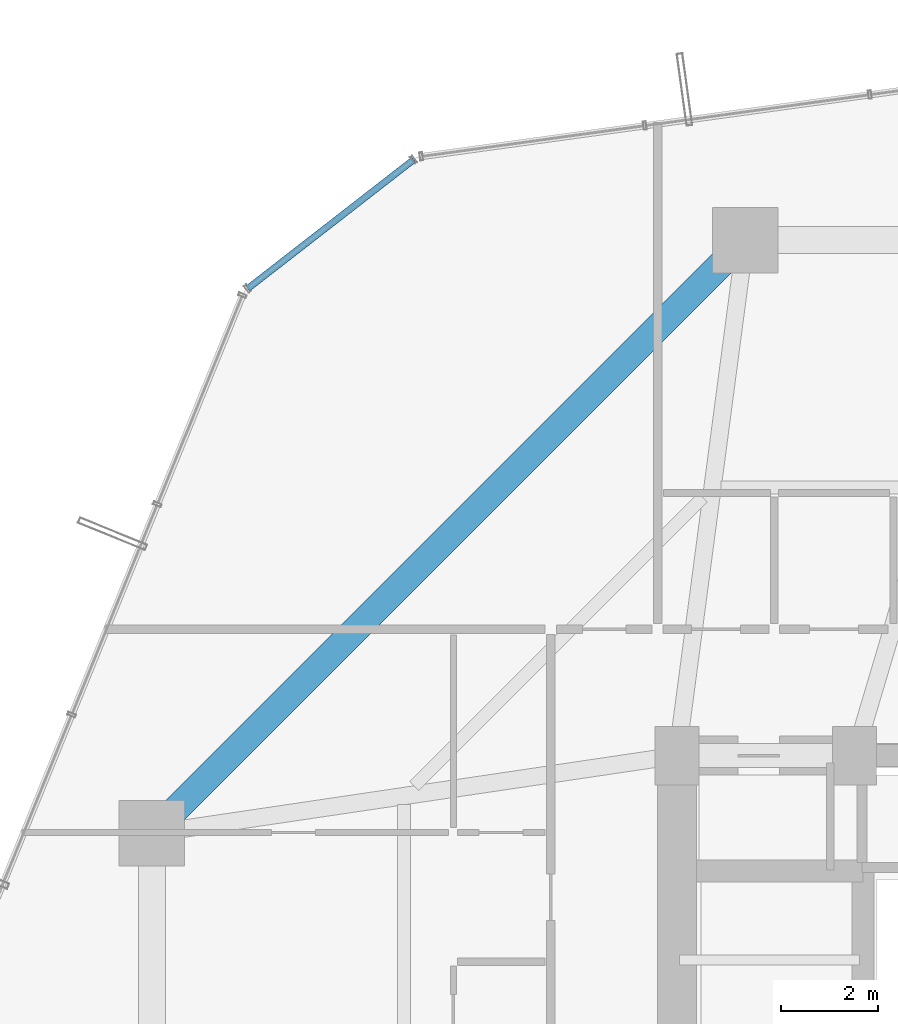
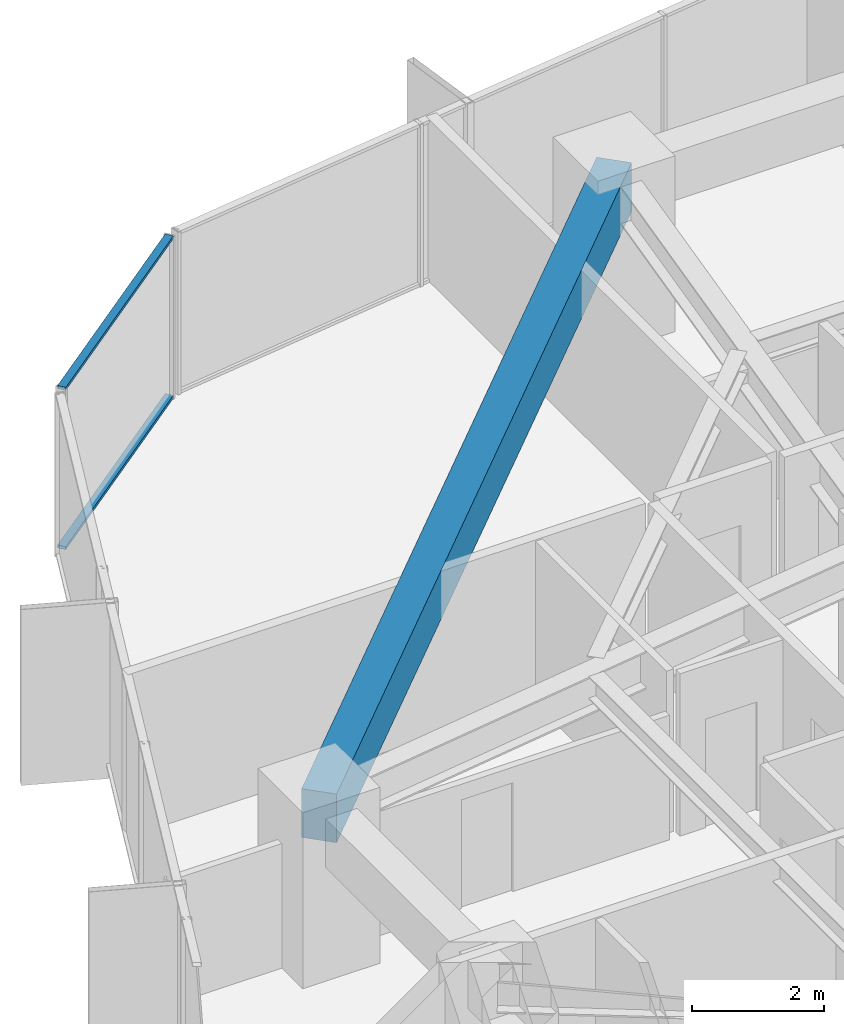
# One storey, part 22 of 37: 2 members, 1 beam, 1 element without a shape of its own.
"""IFC4 building model written with IfcOpenShell, lengths in metres."""

from ifc_helpers import new_model, si_unit, direction, frame, origin, origin_2d, place, context, subcontext, project, spatial, rectangle, hollow_rectangle, extrude, source, transform, mapped, material, layer, layer_set, material_profile, profile_set, type_object, element, aggregate, save


model = new_model("IFC4")

# Units and contexts
model_context = context("Model", 3, precision=1e-05, world=origin(), true_north=direction((0.0, 1.0)))
body_context = subcontext(model_context, "Body", "Model", "MODEL_VIEW")
ifc_project = project(units=[si_unit("LENGTHUNIT", "METRE"), si_unit("AREAUNIT", "SQUARE_METRE"), si_unit("VOLUMEUNIT", "CUBIC_METRE"), si_unit("PLANEANGLEUNIT", "RADIAN"), si_unit("MASSUNIT", "GRAM", prefix="KILO")], contexts=[model_context])

# Site, building, storey
site_placement = place(None, origin())
site = spatial("IfcSite", under=ifc_project, at=site_placement, CompositionType="ELEMENT")
building_placement = place(site_placement, origin())
building = spatial("IfcBuilding", under=site, at=building_placement, Name="Veraguas Prism Commons", CompositionType="ELEMENT")
storey_placement = place(building_placement, frame((0.0, 0.0, 50.050048828125)))
storey = spatial("IfcBuildingStorey", under=building, at=storey_placement, Name="L13", CompositionType="ELEMENT", Elevation=50.050048828125)

# Beam
ifc_material_1 = material(Name="Concrete C50/60", Category="concrete")
ifc_material_profile_1 = material_profile(ifc_material_1, rectangle(XDim=0.550048828125, YDim=0.89990234375, at=origin_2d()), Name="RC550X900")
ifc_profile_set_1 = profile_set([ifc_material_profile_1], Name="Concrete C50/60")
beam_type = type_object("IfcBeamType", Name="Perimeter Spandrel Lower RC 550x900", PredefinedType="SPANDREL", material=ifc_profile_set_1)
beam_placement = place(storey_placement, frame((18.60009765625, 41.60009765625, 2.550048828125), z_axis=(-0.707106781187, -0.707106781187, 0.0), x_axis=(0.707106781187, -0.707106781187, 0.0)))
element("IfcBeam", 1, at=beam_placement, inside=storey, type_object=beam_type, Name="Perimeter Spandrel Beam L13-SP06", PredefinedType="SPANDREL", context=body_context, shape_type="SweptSolid", body=[
    extrude(rectangle(XDim=0.550048828125, YDim=0.89990234375, at=origin_2d()), origin(), (0.0, 0.0, 1.0), 17.253662109375),
])

# Curtain wall, members
ifc_material_2 = material(Name="Anodised aluminium EN AW-6063 T6", Category="aluminium")
ifc_layer = layer(ifc_material_2, 0.169921875, Name="Unitised Flush Curtain Wall Zone 1", Category="aluminium")
ifc_layer_set = layer_set([ifc_layer], Name="Anodised aluminium EN AW-6063 T6")
curtain_wall_type = type_object("IfcCurtainWallType", Name="Unitised Flush Curtain Wall Zone 1", PredefinedType="NOTDEFINED", material=ifc_layer_set)
curtain_wall_placement = place(storey_placement, origin())
curtain_wall = element("IfcCurtainWall", 2, at=curtain_wall_placement, inside=storey, type_object=curtain_wall_type, Name="Chamfer Curtain Wall L13-C3", PredefinedType="NOTDEFINED")
ifc_material_profile_2 = material_profile(ifc_material_2, hollow_rectangle(XDim=0.054931640625, YDim=0.135009765625, WallThickness=0.0029296875, at=origin_2d()), Name="AL55X135X3")
ifc_profile_set_2 = profile_set([ifc_material_profile_2], Name="Anodised aluminium EN AW-6063 T6")
member_type = type_object("IfcMemberType", Name="Curtain Wall Transom Standard AL 55x135x3", PredefinedType="USERDEFINED", material=ifc_profile_set_2)
shared_shape = source(origin(), body_context, "Body", "SweptSolid", [
    extrude(hollow_rectangle(XDim=0.054931640625, YDim=0.135009765625, WallThickness=0.0029296875, at=origin_2d()), origin(), (0.0, 0.0, 1.0), 4.320068359375),
])
member_1_placement = place(storey_placement, frame((11.77978515625, 43.252685546875, 0.02734375), z_axis=(-0.789726367122, -0.613459261135, 0.0), x_axis=(0.0, 0.0, 1.0)))
member_1 = element("IfcMember", 3, at=member_1_placement, type_object=member_type, Name="CW-Z1 Transom 1", ObjectType="TRANSOM", PredefinedType="USERDEFINED", context=body_context, shape_type="MappedRepresentation", body=[
    mapped(shared_shape, transform((0.0, 0.0, 0.0), scale=1.0)),
])
member_2_placement = place(storey_placement, frame((11.77978515625, 43.252685546875, 2.972412109375), z_axis=(-0.789726367122, -0.613459261135, 0.0), x_axis=(0.0, 0.0, 1.0)))
member_2 = element("IfcMember", 4, at=member_2_placement, type_object=member_type, Name="CW-Z1 Transom 2", ObjectType="TRANSOM", PredefinedType="USERDEFINED", context=body_context, shape_type="MappedRepresentation", body=[
    mapped(shared_shape, transform((0.0, 0.0, 0.0), scale=1.0)),
])
aggregate(curtain_wall, [member_1, member_2])

save(model, "model.ifc")
